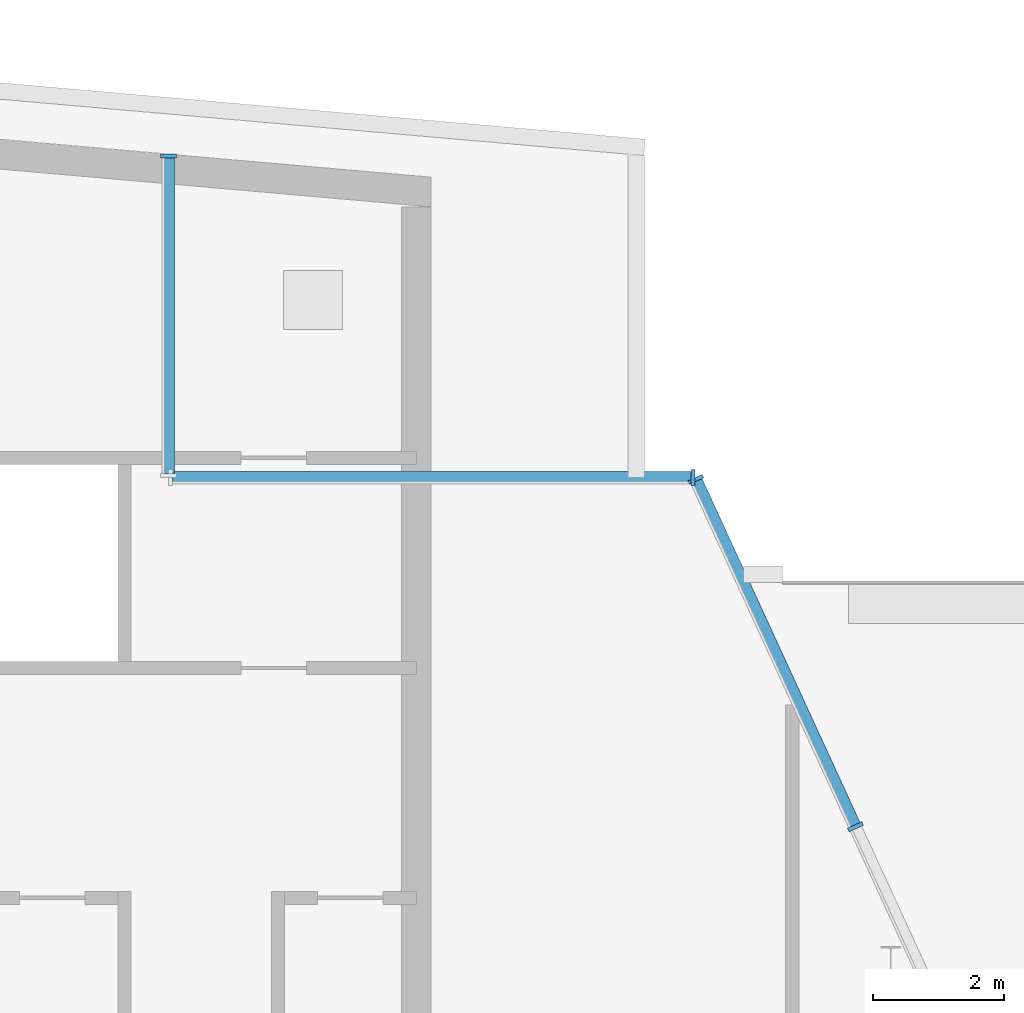
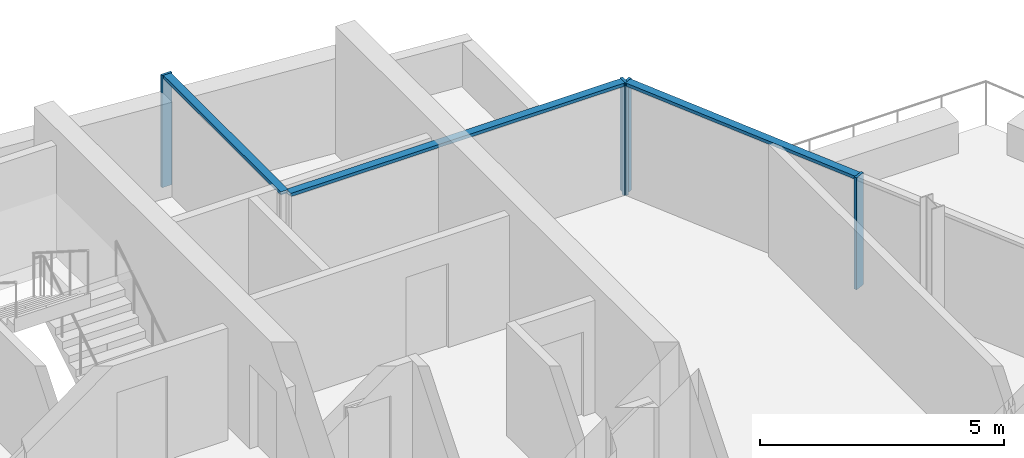
# One storey, part 8 of 17: 7 members, 3 elements without a shape of their own.
"""IFC4 building model written with IfcOpenShell, lengths in metres."""

from ifc_helpers import new_model, si_unit, direction, frame, origin, origin_2d, place, context, subcontext, project, spatial, rectangle, extrude, material, material_profile, profile_set, type_object, element, aggregate, save


model = new_model("IFC4")

# Units and contexts
model_context = context("Model", 3, precision=1e-05, world=origin(), true_north=direction((0.0, 1.0)))
body_context = subcontext(model_context, "Body", "Model", "MODEL_VIEW")
ifc_project = project(units=[si_unit("LENGTHUNIT", "METRE"), si_unit("AREAUNIT", "SQUARE_METRE"), si_unit("VOLUMEUNIT", "CUBIC_METRE"), si_unit("PLANEANGLEUNIT", "RADIAN"), si_unit("MASSUNIT", "GRAM", prefix="KILO")], contexts=[model_context])

# Site, building, storey
site_placement = place(None, origin())
site = spatial("IfcSite", under=ifc_project, at=site_placement, CompositionType="ELEMENT")
building_placement = place(site_placement, origin())
building = spatial("IfcBuilding", under=site, at=building_placement, Name="Wharfspan Tower", CompositionType="ELEMENT")
storey_placement = place(building_placement, frame((0.0, 0.0, 261.100098)))
storey = spatial("IfcBuildingStorey", under=building, at=storey_placement, Name="L66", CompositionType="ELEMENT", Elevation=261.100098)

# Curtain wall, members
ifc_material = material(Name="Aluminium 6063-T6", Category="aluminium")
curtain_wall_type = type_object("IfcCurtainWallType", Name="CURTAIN WALL PROW AND END", PredefinedType="NOTDEFINED", material=ifc_material)
curtain_wall_1_placement = place(storey_placement, origin())
curtain_wall_1 = element("IfcCurtainWall", 1, at=curtain_wall_1_placement, inside=storey, type_object=curtain_wall_type, Name="Crown curtain wall E", PredefinedType="NOTDEFINED")
ifc_material_profile_1 = material_profile(ifc_material, rectangle(XDim=0.23999, YDim=0.060059, at=origin_2d()))
ifc_profile_set_1 = profile_set([ifc_material_profile_1], Name="Aluminium 6063-T6")
member_type_1 = type_object("IfcMemberType", Name="MULLION PROW AND END 60x240", PredefinedType="MULLION", material=ifc_profile_set_1)
member_1_placement = place(storey_placement, frame((64.462158, 38.282471, 0.0), z_axis=(0.0, 0.0, 1.0), x_axis=(-0.908769, -0.417292, 0.0)))
member_1 = element("IfcMember", 2, at=member_1_placement, type_object=member_type_1, Name="Crown curtain wall E mullion 2", PredefinedType="MULLION", context=body_context, shape_type="SweptSolid", body=[
    extrude(rectangle(XDim=0.23999, YDim=0.060059, at=origin_2d()), origin(), (0.0, 0.0, 1.0), 2.799805),
])
member_2_placement = place(storey_placement, frame((62.032959, 43.572754, 0.0), z_axis=(0.0, 0.0, 1.0), x_axis=(-0.908769, -0.417292, 0.0)))
member_2 = element("IfcMember", 3, at=member_2_placement, type_object=member_type_1, Name="Crown curtain wall E mullion 3", PredefinedType="MULLION", context=body_context, shape_type="SweptSolid", body=[
    extrude(rectangle(XDim=0.23999, YDim=0.060059, at=origin_2d()), origin(), (0.0, 0.0, 1.0), 2.799805),
])

# Curtain wall, member
curtain_wall_2_placement = place(storey_placement, origin())
curtain_wall_2 = element("IfcCurtainWall", 4, at=curtain_wall_2_placement, inside=storey, type_object=curtain_wall_type, Name="Crown curtain wall NRE-H", PredefinedType="NOTDEFINED")
member_3_placement = place(storey_placement, frame((61.990479, 43.600098, 0.0), z_axis=(0.0, 0.0, 1.0), x_axis=(0.0, -1.0, 0.0)))
member_3 = element("IfcMember", 5, at=member_3_placement, type_object=member_type_1, Name="Crown curtain wall NRE-H mullion 1", PredefinedType="MULLION", context=body_context, shape_type="SweptSolid", body=[
    extrude(rectangle(XDim=0.23999, YDim=0.060059, at=origin_2d()), origin(), (0.0, 0.0, 1.0), 2.799805),
])

curtain_wall_3_placement = place(storey_placement, origin())
curtain_wall_3 = element("IfcCurtainWall", 6, at=curtain_wall_3_placement, inside=storey, type_object=curtain_wall_type, Name="Crown curtain wall NRE-V", PredefinedType="NOTDEFINED")
member_4_placement = place(storey_placement, frame((54.0, 48.494873, 0.0), z_axis=(0.0, 0.0, 1.0), x_axis=(-1.0, 0.0, 0.0)))
member_4 = element("IfcMember", 7, at=member_4_placement, type_object=member_type_1, Name="Crown curtain wall NRE-V mullion 2", PredefinedType="MULLION", context=body_context, shape_type="SweptSolid", body=[
    extrude(rectangle(XDim=0.23999, YDim=0.060059, at=origin_2d()), origin(), (0.0, 0.0, 1.0), 2.799805),
])

# Member
ifc_material_profile_2 = material_profile(ifc_material, rectangle(XDim=0.179932, YDim=0.080078, at=origin_2d()))
ifc_profile_set_2 = profile_set([ifc_material_profile_2], Name="Aluminium 6063-T6")
member_type_2 = type_object("IfcMemberType", Name="TRANSOM PROW AND END 80x180", PredefinedType="USERDEFINED", material=ifc_profile_set_2)
member_5_placement = place(storey_placement, frame((64.449707, 38.309814, 2.76001), z_axis=(-0.417321, 0.908759, 0.0), x_axis=(-0.908759, -0.417321, 0.0)))
member_5 = element("IfcMember", 8, at=member_5_placement, type_object=member_type_2, Name="Crown curtain wall E transom 2", ObjectType="TRANSOM", PredefinedType="USERDEFINED", context=body_context, shape_type="SweptSolid", body=[
    extrude(rectangle(XDim=0.179932, YDim=0.080078, at=origin_2d()), origin(), (0.0, 0.0, 1.0), 5.76123),
])

aggregate(curtain_wall_1, [member_1, member_2, member_5])

member_6_placement = place(storey_placement, frame((61.960449, 43.600098, 2.76001), z_axis=(-1.0, 0.0, 0.0), x_axis=(0.0, -1.0, 0.0)))
member_6 = element("IfcMember", 9, at=member_6_placement, type_object=member_type_2, Name="Crown curtain wall NRE-H transom 1", ObjectType="TRANSOM", PredefinedType="USERDEFINED", context=body_context, shape_type="SweptSolid", body=[
    extrude(rectangle(XDim=0.179932, YDim=0.080078, at=origin_2d()), origin(), (0.0, 0.0, 1.0), 7.900391),
])

aggregate(curtain_wall_2, [member_3, member_6])

member_7_placement = place(storey_placement, frame((54.0, 43.659912, 2.76001), z_axis=(0.0, 1.0, 0.0), x_axis=(-1.0, 0.0, 0.0)))
member_7 = element("IfcMember", 10, at=member_7_placement, type_object=member_type_2, Name="Crown curtain wall NRE-V transom 1", ObjectType="TRANSOM", PredefinedType="USERDEFINED", context=body_context, shape_type="SweptSolid", body=[
    extrude(rectangle(XDim=0.179932, YDim=0.080078, at=origin_2d()), origin(), (0.0, 0.0, 1.0), 4.804932),
])

aggregate(curtain_wall_3, [member_4, member_7])

save(model, "model.ifc")
